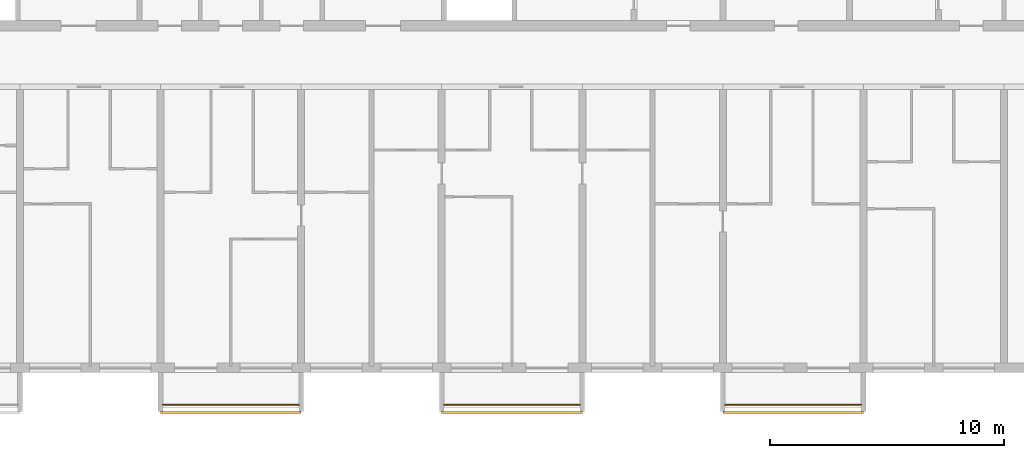
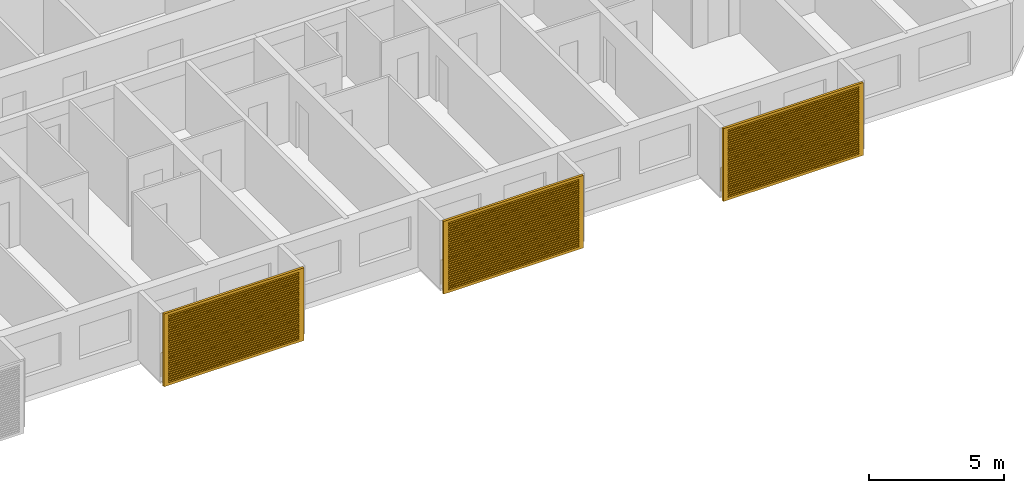
# One storey, part 16 of 33: 3 railings, 3 shading devices.
"""IFC4 building model written with IfcOpenShell, lengths in metres."""

from ifc_helpers import new_model, si_unit, direction, frame, origin, origin_2d, place, context, subcontext, project, spatial, polyline, circle, outline, extrude, source, transform, mapped, material, material_profile, profile_set, type_object, element, save


model = new_model("IFC4")

# Units and contexts
model_context = context("Model", 3, precision=1e-05, world=origin(), true_north=direction((0.0, 1.0)))
body_context = subcontext(model_context, "Body", "Model", "MODEL_VIEW")
ifc_project = project(units=[si_unit("LENGTHUNIT", "METRE"), si_unit("AREAUNIT", "SQUARE_METRE"), si_unit("VOLUMEUNIT", "CUBIC_METRE"), si_unit("PLANEANGLEUNIT", "RADIAN"), si_unit("MASSUNIT", "GRAM", prefix="KILO")], contexts=[model_context])

# Site, building, storey
site_placement = place(None, origin())
site = spatial("IfcSite", under=ifc_project, at=site_placement, CompositionType="ELEMENT")
building_placement = place(site_placement, origin())
building = spatial("IfcBuilding", under=site, at=building_placement, Name="Poui Terraces", CompositionType="ELEMENT")
storey_placement = place(building_placement, frame((0.0, 0.0, 135.60009765625)))
storey = spatial("IfcBuildingStorey", under=building, at=storey_placement, Name="L37", CompositionType="ELEMENT", Elevation=135.60009765625)

# Railings
ifc_material_1 = material(Name="Painted steel fretwork", Category="steel")
railing_type = type_object("IfcRailingType", Name="BALCONY GUARD 1100", PredefinedType="GUARDRAIL", material=ifc_material_1)
for number, where, name in (
    (1, (48.10009765625, -1.570068359375, 0.0), "BALCONY GUARD"),
    (2, (60.10009765625, -1.570068359375, 0.0), "BALCONY GUARD"),
    (3, (72.10009765625, -1.570068359375, 0.0), "BALCONY GUARD"),
):
    element("IfcRailing", number, at=place(storey_placement, frame(where)), inside=storey, type_object=railing_type, Name=name, PredefinedType="GUARDRAIL", context=body_context, shape_type="SweptSolid", body=[
        extrude(circle(Radius=0.02392578125, at=origin_2d()), frame((0.0, 0.0, 1.076171875), z_axis=(1.0, 0.0, 0.0), x_axis=(0.0, 1.0, 0.0)), (0.0, 0.0, 1.0), 5.7998046875),
        extrude(circle(Radius=0.02099609375, at=origin_2d()), origin(), (0.0, 0.0, 1.0), 1.052001953125),
        extrude(circle(Radius=0.02099609375, at=origin_2d()), frame((0.966552734375, 0.0, 0.0)), (0.0, 0.0, 1.0), 1.052001953125),
        extrude(circle(Radius=0.02099609375, at=origin_2d()), frame((1.933349609375, 0.0, 0.0)), (0.0, 0.0, 1.0), 1.052001953125),
        extrude(circle(Radius=0.02099609375, at=origin_2d()), frame((2.89990234375, 0.0, 0.0)), (0.0, 0.0, 1.0), 1.052001953125),
        extrude(circle(Radius=0.02099609375, at=origin_2d()), frame((3.866455078125, 0.0, 0.0)), (0.0, 0.0, 1.0), 1.052001953125),
        extrude(circle(Radius=0.02099609375, at=origin_2d()), frame((4.833251953125, 0.0, 0.0)), (0.0, 0.0, 1.0), 1.052001953125),
        extrude(circle(Radius=0.02099609375, at=origin_2d()), frame((5.7998046875, 0.0, 0.0)), (0.0, 0.0, 1.0), 1.052001953125),
    ])

# Shading devices
ifc_material_2 = material(Name="Aluminium louvre", Category="aluminium")
ifc_material_profile = material_profile(ifc_material_2, outline(polyline([(-3.0, -1.64990234375), (3.0, -1.64990234375), (3.0, 1.64990234375), (-3.0, 1.64990234375), (-3.0, -1.64990234375)]), holes=[polyline([(-2.800048828125, -1.530029296875), (2.800048828125, -1.530029296875), (2.800048828125, -1.469970703125), (-2.800048828125, -1.469970703125), (-2.800048828125, -1.530029296875)]), polyline([(-2.800048828125, -1.429931640625), (2.800048828125, -1.429931640625), (2.800048828125, -1.3701171875), (-2.800048828125, -1.3701171875), (-2.800048828125, -1.429931640625)]), polyline([(-2.800048828125, -1.330078125), (2.800048828125, -1.330078125), (2.800048828125, -1.27001953125), (-2.800048828125, -1.27001953125), (-2.800048828125, -1.330078125)]), polyline([(-2.800048828125, -1.22998046875), (2.800048828125, -1.22998046875), (2.800048828125, -1.169921875), (-2.800048828125, -1.169921875), (-2.800048828125, -1.22998046875)]), polyline([(-2.800048828125, -1.1298828125), (2.800048828125, -1.1298828125), (2.800048828125, -1.070068359375), (-2.800048828125, -1.070068359375), (-2.800048828125, -1.1298828125)]), polyline([(-2.800048828125, -1.030029296875), (2.800048828125, -1.030029296875), (2.800048828125, -0.969970703125), (-2.800048828125, -0.969970703125), (-2.800048828125, -1.030029296875)]), polyline([(-2.800048828125, -0.929931640625), (2.800048828125, -0.929931640625), (2.800048828125, -0.8701171875), (-2.800048828125, -0.8701171875), (-2.800048828125, -0.929931640625)]), polyline([(-2.800048828125, -0.830078125), (2.800048828125, -0.830078125), (2.800048828125, -0.77001953125), (-2.800048828125, -0.77001953125), (-2.800048828125, -0.830078125)]), polyline([(-2.800048828125, -0.72998046875), (2.800048828125, -0.72998046875), (2.800048828125, -0.669921875), (-2.800048828125, -0.669921875), (-2.800048828125, -0.72998046875)]), polyline([(-2.800048828125, -0.6298828125), (2.800048828125, -0.6298828125), (2.800048828125, -0.570068359375), (-2.800048828125, -0.570068359375), (-2.800048828125, -0.6298828125)]), polyline([(-2.800048828125, -0.530029296875), (2.800048828125, -0.530029296875), (2.800048828125, -0.469970703125), (-2.800048828125, -0.469970703125), (-2.800048828125, -0.530029296875)]), polyline([(-2.800048828125, -0.429931640625), (2.800048828125, -0.429931640625), (2.800048828125, -0.3701171875), (-2.800048828125, -0.3701171875), (-2.800048828125, -0.429931640625)]), polyline([(-2.800048828125, -0.330078125), (2.800048828125, -0.330078125), (2.800048828125, -0.27001953125), (-2.800048828125, -0.27001953125), (-2.800048828125, -0.330078125)]), polyline([(-2.800048828125, -0.22998046875), (2.800048828125, -0.22998046875), (2.800048828125, -0.169921875), (-2.800048828125, -0.169921875), (-2.800048828125, -0.22998046875)]), polyline([(-2.800048828125, -0.1298828125), (2.800048828125, -0.1298828125), (2.800048828125, -0.070068359375), (-2.800048828125, -0.070068359375), (-2.800048828125, -0.1298828125)]), polyline([(-2.800048828125, -0.030029296875), (2.800048828125, -0.030029296875), (2.800048828125, 0.030029296875), (-2.800048828125, 0.030029296875), (-2.800048828125, -0.030029296875)]), polyline([(-2.800048828125, 0.070068359375), (2.800048828125, 0.070068359375), (2.800048828125, 0.1298828125), (-2.800048828125, 0.1298828125), (-2.800048828125, 0.070068359375)]), polyline([(-2.800048828125, 0.169921875), (2.800048828125, 0.169921875), (2.800048828125, 0.22998046875), (-2.800048828125, 0.22998046875), (-2.800048828125, 0.169921875)]), polyline([(-2.800048828125, 0.27001953125), (2.800048828125, 0.27001953125), (2.800048828125, 0.330078125), (-2.800048828125, 0.330078125), (-2.800048828125, 0.27001953125)]), polyline([(-2.800048828125, 0.3701171875), (2.800048828125, 0.3701171875), (2.800048828125, 0.429931640625), (-2.800048828125, 0.429931640625), (-2.800048828125, 0.3701171875)]), polyline([(-2.800048828125, 0.469970703125), (2.800048828125, 0.469970703125), (2.800048828125, 0.530029296875), (-2.800048828125, 0.530029296875), (-2.800048828125, 0.469970703125)]), polyline([(-2.800048828125, 0.570068359375), (2.800048828125, 0.570068359375), (2.800048828125, 0.6298828125), (-2.800048828125, 0.6298828125), (-2.800048828125, 0.570068359375)]), polyline([(-2.800048828125, 0.669921875), (2.800048828125, 0.669921875), (2.800048828125, 0.72998046875), (-2.800048828125, 0.72998046875), (-2.800048828125, 0.669921875)]), polyline([(-2.800048828125, 0.77001953125), (2.800048828125, 0.77001953125), (2.800048828125, 0.830078125), (-2.800048828125, 0.830078125), (-2.800048828125, 0.77001953125)]), polyline([(-2.800048828125, 0.8701171875), (2.800048828125, 0.8701171875), (2.800048828125, 0.929931640625), (-2.800048828125, 0.929931640625), (-2.800048828125, 0.8701171875)]), polyline([(-2.800048828125, 0.969970703125), (2.800048828125, 0.969970703125), (2.800048828125, 1.030029296875), (-2.800048828125, 1.030029296875), (-2.800048828125, 0.969970703125)]), polyline([(-2.800048828125, 1.070068359375), (2.800048828125, 1.070068359375), (2.800048828125, 1.1298828125), (-2.800048828125, 1.1298828125), (-2.800048828125, 1.070068359375)]), polyline([(-2.800048828125, 1.169921875), (2.800048828125, 1.169921875), (2.800048828125, 1.22998046875), (-2.800048828125, 1.22998046875), (-2.800048828125, 1.169921875)]), polyline([(-2.800048828125, 1.27001953125), (2.800048828125, 1.27001953125), (2.800048828125, 1.330078125), (-2.800048828125, 1.330078125), (-2.800048828125, 1.27001953125)]), polyline([(-2.800048828125, 1.3701171875), (2.800048828125, 1.3701171875), (2.800048828125, 1.429931640625), (-2.800048828125, 1.429931640625), (-2.800048828125, 1.3701171875)]), polyline([(-2.800048828125, 1.469970703125), (2.800048828125, 1.469970703125), (2.800048828125, 1.530029296875), (-2.800048828125, 1.530029296875), (-2.800048828125, 1.469970703125)])]), Name="JALOUSIE LOUVRE SHUTTER 6000X3300")
ifc_profile_set = profile_set([ifc_material_profile], Name="Aluminium louvre")
shading_device_type = type_object("IfcShadingDeviceType", Name="JALOUSIE LOUVRE SHUTTER 6000X3300", PredefinedType="JALOUSIE", material=ifc_profile_set)
shared_shape = source(origin(), body_context, "Body", "SweptSolid", [
    extrude(outline(polyline([(-3.0, -1.64990234375), (3.0, -1.64990234375), (3.0, 1.64990234375), (-3.0, 1.64990234375), (-3.0, -1.64990234375)]), holes=[polyline([(-2.800048828125, -1.530029296875), (2.800048828125, -1.530029296875), (2.800048828125, -1.469970703125), (-2.800048828125, -1.469970703125), (-2.800048828125, -1.530029296875)]), polyline([(-2.800048828125, -1.429931640625), (2.800048828125, -1.429931640625), (2.800048828125, -1.3701171875), (-2.800048828125, -1.3701171875), (-2.800048828125, -1.429931640625)]), polyline([(-2.800048828125, -1.330078125), (2.800048828125, -1.330078125), (2.800048828125, -1.27001953125), (-2.800048828125, -1.27001953125), (-2.800048828125, -1.330078125)]), polyline([(-2.800048828125, -1.22998046875), (2.800048828125, -1.22998046875), (2.800048828125, -1.169921875), (-2.800048828125, -1.169921875), (-2.800048828125, -1.22998046875)]), polyline([(-2.800048828125, -1.1298828125), (2.800048828125, -1.1298828125), (2.800048828125, -1.070068359375), (-2.800048828125, -1.070068359375), (-2.800048828125, -1.1298828125)]), polyline([(-2.800048828125, -1.030029296875), (2.800048828125, -1.030029296875), (2.800048828125, -0.969970703125), (-2.800048828125, -0.969970703125), (-2.800048828125, -1.030029296875)]), polyline([(-2.800048828125, -0.929931640625), (2.800048828125, -0.929931640625), (2.800048828125, -0.8701171875), (-2.800048828125, -0.8701171875), (-2.800048828125, -0.929931640625)]), polyline([(-2.800048828125, -0.830078125), (2.800048828125, -0.830078125), (2.800048828125, -0.77001953125), (-2.800048828125, -0.77001953125), (-2.800048828125, -0.830078125)]), polyline([(-2.800048828125, -0.72998046875), (2.800048828125, -0.72998046875), (2.800048828125, -0.669921875), (-2.800048828125, -0.669921875), (-2.800048828125, -0.72998046875)]), polyline([(-2.800048828125, -0.6298828125), (2.800048828125, -0.6298828125), (2.800048828125, -0.570068359375), (-2.800048828125, -0.570068359375), (-2.800048828125, -0.6298828125)]), polyline([(-2.800048828125, -0.530029296875), (2.800048828125, -0.530029296875), (2.800048828125, -0.469970703125), (-2.800048828125, -0.469970703125), (-2.800048828125, -0.530029296875)]), polyline([(-2.800048828125, -0.429931640625), (2.800048828125, -0.429931640625), (2.800048828125, -0.3701171875), (-2.800048828125, -0.3701171875), (-2.800048828125, -0.429931640625)]), polyline([(-2.800048828125, -0.330078125), (2.800048828125, -0.330078125), (2.800048828125, -0.27001953125), (-2.800048828125, -0.27001953125), (-2.800048828125, -0.330078125)]), polyline([(-2.800048828125, -0.22998046875), (2.800048828125, -0.22998046875), (2.800048828125, -0.169921875), (-2.800048828125, -0.169921875), (-2.800048828125, -0.22998046875)]), polyline([(-2.800048828125, -0.1298828125), (2.800048828125, -0.1298828125), (2.800048828125, -0.070068359375), (-2.800048828125, -0.070068359375), (-2.800048828125, -0.1298828125)]), polyline([(-2.800048828125, -0.030029296875), (2.800048828125, -0.030029296875), (2.800048828125, 0.030029296875), (-2.800048828125, 0.030029296875), (-2.800048828125, -0.030029296875)]), polyline([(-2.800048828125, 0.070068359375), (2.800048828125, 0.070068359375), (2.800048828125, 0.1298828125), (-2.800048828125, 0.1298828125), (-2.800048828125, 0.070068359375)]), polyline([(-2.800048828125, 0.169921875), (2.800048828125, 0.169921875), (2.800048828125, 0.22998046875), (-2.800048828125, 0.22998046875), (-2.800048828125, 0.169921875)]), polyline([(-2.800048828125, 0.27001953125), (2.800048828125, 0.27001953125), (2.800048828125, 0.330078125), (-2.800048828125, 0.330078125), (-2.800048828125, 0.27001953125)]), polyline([(-2.800048828125, 0.3701171875), (2.800048828125, 0.3701171875), (2.800048828125, 0.429931640625), (-2.800048828125, 0.429931640625), (-2.800048828125, 0.3701171875)]), polyline([(-2.800048828125, 0.469970703125), (2.800048828125, 0.469970703125), (2.800048828125, 0.530029296875), (-2.800048828125, 0.530029296875), (-2.800048828125, 0.469970703125)]), polyline([(-2.800048828125, 0.570068359375), (2.800048828125, 0.570068359375), (2.800048828125, 0.6298828125), (-2.800048828125, 0.6298828125), (-2.800048828125, 0.570068359375)]), polyline([(-2.800048828125, 0.669921875), (2.800048828125, 0.669921875), (2.800048828125, 0.72998046875), (-2.800048828125, 0.72998046875), (-2.800048828125, 0.669921875)]), polyline([(-2.800048828125, 0.77001953125), (2.800048828125, 0.77001953125), (2.800048828125, 0.830078125), (-2.800048828125, 0.830078125), (-2.800048828125, 0.77001953125)]), polyline([(-2.800048828125, 0.8701171875), (2.800048828125, 0.8701171875), (2.800048828125, 0.929931640625), (-2.800048828125, 0.929931640625), (-2.800048828125, 0.8701171875)]), polyline([(-2.800048828125, 0.969970703125), (2.800048828125, 0.969970703125), (2.800048828125, 1.030029296875), (-2.800048828125, 1.030029296875), (-2.800048828125, 0.969970703125)]), polyline([(-2.800048828125, 1.070068359375), (2.800048828125, 1.070068359375), (2.800048828125, 1.1298828125), (-2.800048828125, 1.1298828125), (-2.800048828125, 1.070068359375)]), polyline([(-2.800048828125, 1.169921875), (2.800048828125, 1.169921875), (2.800048828125, 1.22998046875), (-2.800048828125, 1.22998046875), (-2.800048828125, 1.169921875)]), polyline([(-2.800048828125, 1.27001953125), (2.800048828125, 1.27001953125), (2.800048828125, 1.330078125), (-2.800048828125, 1.330078125), (-2.800048828125, 1.27001953125)]), polyline([(-2.800048828125, 1.3701171875), (2.800048828125, 1.3701171875), (2.800048828125, 1.429931640625), (-2.800048828125, 1.429931640625), (-2.800048828125, 1.3701171875)]), polyline([(-2.800048828125, 1.469970703125), (2.800048828125, 1.469970703125), (2.800048828125, 1.530029296875), (-2.800048828125, 1.530029296875), (-2.800048828125, 1.469970703125)])]), origin(), (0.0, 0.0, 1.0), 0.099853515625),
])
for number, where, z_axis, x_axis, name in (
    (4, (51.0, -1.85009765625, 1.449951171875), (0.0, -1.0, 0.0), (1.0, 0.0, 0.0), "JALOUSIE LOUVRE SHUTTER"),
    (5, (63.0, -1.85009765625, 1.449951171875), (0.0, -1.0, 0.0), (1.0, 0.0, 0.0), "JALOUSIE LOUVRE SHUTTER"),
    (6, (75.0, -1.85009765625, 1.449951171875), (0.0, -1.0, 0.0), (1.0, 0.0, 0.0), "JALOUSIE LOUVRE SHUTTER"),
):
    element("IfcShadingDevice", number, at=place(storey_placement, frame(where, z_axis=z_axis, x_axis=x_axis)), inside=storey, type_object=shading_device_type, Name=name, PredefinedType="JALOUSIE", context=body_context, shape_type="MappedRepresentation", body=[
        mapped(shared_shape, transform((0.0, 0.0, 0.0))),
    ])

save(model, "model.ifc")
